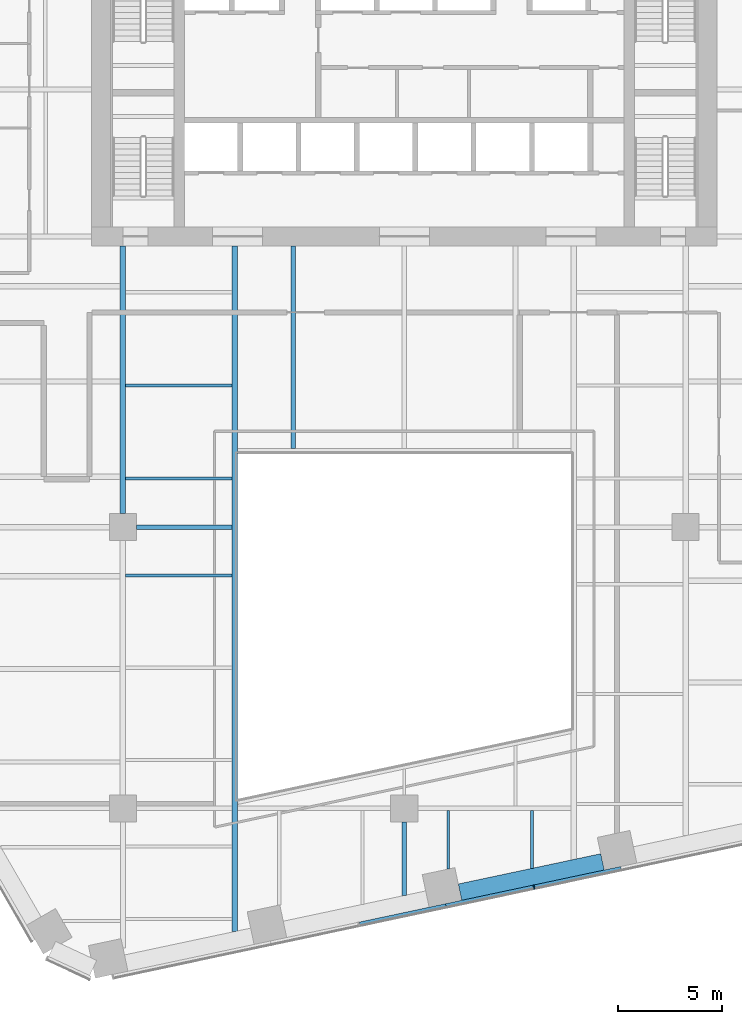
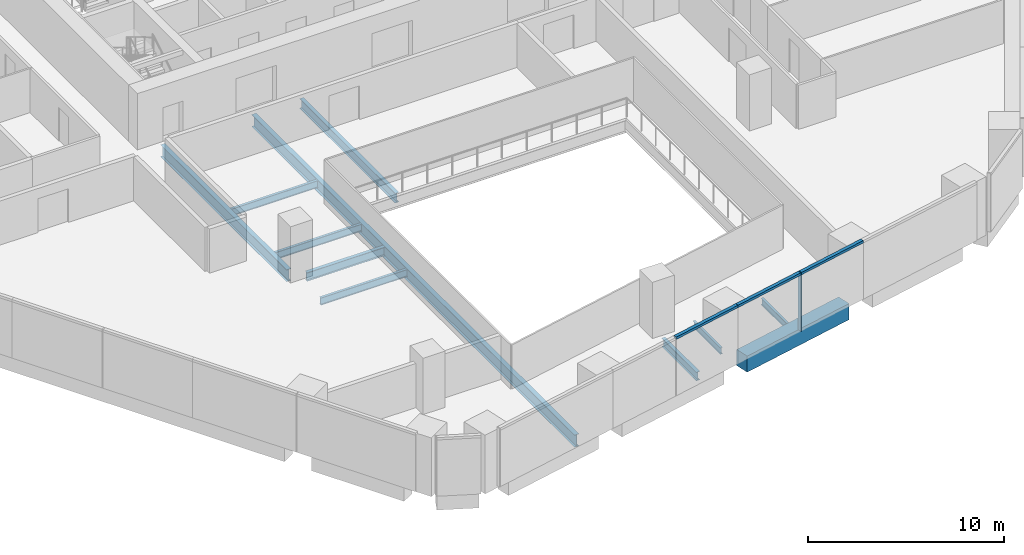
# One storey, part 4 of 21: 11 beams, 4 members, 1 element without a shape of its own.
"""IFC4 building model written with IfcOpenShell, lengths in metres."""

from ifc_helpers import new_model, si_unit, direction, frame, origin, origin_2d, place, context, subcontext, project, spatial, rectangle, i_section, extrude, material, layer, layer_set, material_profile, profile_set, type_object, element, aggregate, save


model = new_model("IFC4")

# Units and contexts
model_context = context("Model", 3, precision=1e-05, world=origin(), true_north=direction((0.0, 1.0)))
body_context = subcontext(model_context, "Body", "Model", "MODEL_VIEW")
ifc_project = project(units=[si_unit("LENGTHUNIT", "METRE"), si_unit("AREAUNIT", "SQUARE_METRE"), si_unit("VOLUMEUNIT", "CUBIC_METRE"), si_unit("PLANEANGLEUNIT", "RADIAN"), si_unit("MASSUNIT", "GRAM", prefix="KILO")], contexts=[model_context])

# Site, building, storey
site_placement = place(None, origin())
site = spatial("IfcSite", under=ifc_project, at=site_placement, CompositionType="ELEMENT")
building_placement = place(site_placement, origin())
building = spatial("IfcBuilding", under=site, at=building_placement, Name="Isthmus Gate Tower", CompositionType="ELEMENT")
storey_placement = place(building_placement, frame((0.0, 0.0, 102.550048828125)))
storey = spatial("IfcBuildingStorey", under=building, at=storey_placement, Name="L24", CompositionType="ELEMENT", Elevation=102.550048828125)

# Curtain wall, members
ifc_material_1 = material(Name="Aluminium, pale champagne anodised", Category="aluminium")
ifc_layer = layer(ifc_material_1, 0.199951171875)
ifc_layer_set = layer_set([ifc_layer], Name="CW-1 UNITISED CURTAIN WALL 200 DEEP")
curtain_wall_type = type_object("IfcCurtainWallType", Name="CW-1 UNITISED CURTAIN WALL 200 DEEP", PredefinedType="NOTDEFINED", material=ifc_layer_set)
curtain_wall_placement = place(storey_placement, origin())
curtain_wall = element("IfcCurtainWall", 1, at=curtain_wall_placement, inside=storey, type_object=curtain_wall_type, Name="CW-1 S L24", PredefinedType="NOTDEFINED")
ifc_material_2 = material(Name="Aluminium, pale champagne anodised", Category="aluminium")
ifc_material_profile_1 = material_profile(ifc_material_2, rectangle(XDim=0.06005859375, YDim=0.199951171875, at=origin_2d()), Name="60x200")
ifc_profile_set_1 = profile_set([ifc_material_profile_1], Name="Aluminium, pale champagne anodised")
member_type_1 = type_object("IfcMemberType", Name="CW-1 MULLION 60 X 200", PredefinedType="MULLION", material=ifc_profile_set_1)
member_1_placement = place(storey_placement, frame((6.228759765625, -30.7783203125, 0.0), z_axis=(0.0, 0.0, 1.0), x_axis=(0.978147600734, 0.207911690818, 0.0)))
member_1 = element("IfcMember", 2, at=member_1_placement, type_object=member_type_1, Name="CW-1 mullion", PredefinedType="MULLION", context=body_context, shape_type="SweptSolid", body=[
    extrude(rectangle(XDim=0.06005859375, YDim=0.199951171875, at=origin_2d()), origin(), (0.0, 0.0, 1.0), 3.64990234375),
])
ifc_material_3 = material(Name="Aluminium, pale champagne anodised", Category="aluminium")
ifc_material_profile_2 = material_profile(ifc_material_3, rectangle(XDim=0.199951171875, YDim=0.14990234375, at=origin_2d()), Name="200x150")
ifc_profile_set_2 = profile_set([ifc_material_profile_2], Name="Aluminium, pale champagne anodised")
member_type_2 = type_object("IfcMemberType", Name="CW-1 TRANSOM 200 X 150", PredefinedType="USERDEFINED", material=ifc_profile_set_2)
member_2_placement = place(storey_placement, frame((-2.1435546875, -32.557861328125, 3.574951171875), z_axis=(0.978150351608, 0.20789874855, 0.0), x_axis=(-0.20789874855, 0.978150351608, 0.0)))
member_2 = element("IfcMember", 3, at=member_2_placement, type_object=member_type_2, Name="CW-1 transom", ObjectType="TRANSOM", PredefinedType="USERDEFINED", context=body_context, shape_type="SweptSolid", body=[
    extrude(rectangle(XDim=0.199951171875, YDim=0.14990234375, at=origin_2d()), origin(), (0.0, 0.0, 1.0), 4.234619140625),
])
member_3_placement = place(storey_placement, frame((1.99853515625, -31.677490234375, 3.574951171875), z_axis=(0.97813890815, 0.207952582007, 0.0), x_axis=(-0.207952582007, 0.97813890815, 0.0)))
member_3 = element("IfcMember", 4, at=member_3_placement, type_object=member_type_2, Name="CW-1 transom", ObjectType="TRANSOM", PredefinedType="USERDEFINED", context=body_context, shape_type="SweptSolid", body=[
    extrude(rectangle(XDim=0.199951171875, YDim=0.14990234375, at=origin_2d()), origin(), (0.0, 0.0, 1.0), 4.294677734375),
])
member_4_placement = place(storey_placement, frame((6.258056640625, -30.77197265625, 3.574951171875), z_axis=(0.978150351608, 0.20789874855, 0.0), x_axis=(-0.20789874855, 0.978150351608, 0.0)))
member_4 = element("IfcMember", 5, at=member_4_placement, type_object=member_type_2, Name="CW-1 transom", ObjectType="TRANSOM", PredefinedType="USERDEFINED", context=body_context, shape_type="SweptSolid", body=[
    extrude(rectangle(XDim=0.199951171875, YDim=0.14990234375, at=origin_2d()), origin(), (0.0, 0.0, 1.0), 4.234619140625),
])
aggregate(curtain_wall, [member_2, member_3, member_1, member_4])

# Beams
ifc_material_4 = material(Name="Concrete f'c 70 MPa", Category="concrete")
ifc_material_profile_3 = material_profile(ifc_material_4, rectangle(XDim=0.800048828125, YDim=1.0, at=origin_2d()), Name="RC 800X1000")
ifc_profile_set_3 = profile_set([ifc_material_profile_3], Name="Concrete f'c 70 MPa")
beam_type_1 = type_object("IfcBeamType", Name="RC SPANDREL 800 X 1000", PredefinedType="SPANDREL", material=ifc_profile_set_3)
beam_1_placement = place(storey_placement, frame((9.513671875, -29.56884765625, -0.5), z_axis=(-0.978149173437, -0.207904291694, 0.0), x_axis=(0.207904291694, -0.978149173437, 0.0)))
element("IfcBeam", 6, at=beam_1_placement, inside=storey, type_object=beam_type_1, Name="str-spandrel-L24-11", PredefinedType="SPANDREL", context=body_context, shape_type="SweptSolid", body=[
    extrude(rectangle(XDim=0.800048828125, YDim=1.0, at=origin_2d()), origin(), (0.0, 0.0, 1.0), 6.989501953125),
])
ifc_material_5 = material(Name="Structural steel ASTM A992 Gr 50", Category="steel")
ifc_material_profile_4 = material_profile(ifc_material_5, i_section(OverallWidth=0.1396484375, OverallDepth=0.4033203125, WebThickness=0.00634765625, FlangeThickness=0.010986328125, at=origin_2d()), Name="W16X31")
ifc_profile_set_4 = profile_set([ifc_material_profile_4], Name="Structural steel ASTM A992 Gr 50")
beam_type_2 = type_object("IfcBeamType", Name="STEEL FLOOR BEAM W16X31", PredefinedType="JOIST", material=ifc_profile_set_4)
beam_2_placement = place(storey_placement, frame((2.111572265625, -29.91552734375, -0.3515625), z_axis=(0.0, 1.0, 0.0), x_axis=(-1.0, 0.0, 0.0)))
element("IfcBeam", 7, at=beam_2_placement, inside=storey, type_object=beam_type_2, Name="str-beam-L24-19-00", PredefinedType="JOIST", context=body_context, shape_type="SweptSolid", body=[
    extrude(i_section(OverallWidth=0.1396484375, OverallDepth=0.4033203125, WebThickness=0.00634765625, FlangeThickness=0.010986328125, at=origin_2d()), origin(), (0.0, 0.0, 1.0), 2.80126953125),
])
beam_3_placement = place(storey_placement, frame((6.125, -29.880126953125, -0.3515625), z_axis=(0.0, 1.0, 0.0), x_axis=(-1.0, 0.0, 0.0)))
element("IfcBeam", 8, at=beam_3_placement, inside=storey, type_object=beam_type_2, Name="str-beam-L24-19-01", PredefinedType="JOIST", context=body_context, shape_type="SweptSolid", body=[
    extrude(i_section(OverallWidth=0.1396484375, OverallDepth=0.4033203125, WebThickness=0.00634765625, FlangeThickness=0.010986328125, at=origin_2d()), origin(), (0.0, 0.0, 1.0), 2.765869140625),
])
ifc_material_6 = material(Name="Structural steel ASTM A992 Gr 50", Category="steel")
ifc_material_profile_5 = material_profile(ifc_material_6, i_section(OverallWidth=0.15234375, OverallDepth=0.45068359375, WebThickness=0.0078125, FlangeThickness=0.010986328125, at=origin_2d()), Name="W18X35")
ifc_profile_set_5 = profile_set([ifc_material_profile_5], Name="Structural steel ASTM A992 Gr 50")
beam_type_3 = type_object("IfcBeamType", Name="STEEL FLOOR BEAM W18X35", PredefinedType="JOIST", material=ifc_profile_set_5)
for number, where, z_axis, x_axis, name in (
    (9, (-13.3681640625, -11.16259765625, -0.37548828125), (1.0, 0.0, 0.0), (0.0, 1.0, 0.0), "str-beam-L24-12-00"),
    (10, (-13.3681640625, -6.697509765625, -0.37548828125), (1.0, 0.0, 0.0), (0.0, 1.0, 0.0), "str-beam-L24-12-01"),
    (11, (-13.3681640625, -15.81982421875, -0.37548828125), (1.0, 0.0, 0.0), (0.0, 1.0, 0.0), "str-beam-L24-13-02"),
):
    element("IfcBeam", number, at=place(storey_placement, frame(where, z_axis=z_axis, x_axis=x_axis)), inside=storey, type_object=beam_type_3, Name=name, PredefinedType="JOIST", context=body_context, shape_type="SweptSolid", body=[
        extrude(i_section(OverallWidth=0.15234375, OverallDepth=0.45068359375, WebThickness=0.0078125, FlangeThickness=0.010986328125, at=origin_2d()), origin(), (0.0, 0.0, 1.0), 5.1015625),
    ])
ifc_material_7 = material(Name="Structural steel ASTM A992 Gr 50", Category="steel")
ifc_material_profile_6 = material_profile(ifc_material_7, i_section(OverallWidth=0.228515625, OverallDepth=0.603271484375, WebThickness=0.010986328125, FlangeThickness=0.014404296875, at=origin_2d()), Name="W24X68")
ifc_profile_set_6 = profile_set([ifc_material_profile_6], Name="Structural steel ASTM A992 Gr 50")
beam_type_4 = type_object("IfcBeamType", Name="STEEL FLOOR BEAM W24X68", PredefinedType="JOIST", material=ifc_profile_set_6)
beam_4_placement = place(storey_placement, frame((-5.333251953125, -9.7333984375, -0.45166015625), z_axis=(0.0, 1.0, 0.0), x_axis=(-1.0, 0.0, 0.0)))
element("IfcBeam", 12, at=beam_4_placement, inside=storey, type_object=beam_type_4, Name="str-beam-L24-17-00", PredefinedType="JOIST", context=body_context, shape_type="SweptSolid", body=[
    extrude(i_section(OverallWidth=0.228515625, OverallDepth=0.603271484375, WebThickness=0.010986328125, FlangeThickness=0.014404296875, at=origin_2d()), origin(), (0.0, 0.0, 1.0), 9.7333984375),
])
ifc_material_8 = material(Name="Structural steel ASTM A992 Gr 50", Category="steel")
ifc_material_profile_7 = material_profile(ifc_material_8, i_section(OverallWidth=0.20947265625, OverallDepth=0.533447265625, WebThickness=0.009521484375, FlangeThickness=0.015869140625, at=origin_2d()), Name="W21X62")
ifc_profile_set_7 = profile_set([ifc_material_profile_7], Name="Structural steel ASTM A992 Gr 50")
beam_type_5 = type_object("IfcBeamType", Name="STEEL GIRDER W21X62", PredefinedType="BEAM", material=ifc_profile_set_7)
beam_5_placement = place(storey_placement, frame((-12.85009765625, -13.5, -0.416748046875), z_axis=(1.0, 0.0, 0.0), x_axis=(0.0, 1.0, 0.0)))
element("IfcBeam", 13, at=beam_5_placement, inside=storey, type_object=beam_type_5, Name="str-girder-L24-06", PredefinedType="BEAM", context=body_context, shape_type="SweptSolid", body=[
    extrude(i_section(OverallWidth=0.20947265625, OverallDepth=0.533447265625, WebThickness=0.009521484375, FlangeThickness=0.015869140625, at=origin_2d()), origin(), (0.0, 0.0, 1.0), 4.58349609375),
])
beam_6_placement = place(storey_placement, frame((0.0, -31.18212890625, -0.416748046875), z_axis=(0.0, 1.0, 0.0), x_axis=(-1.0, 0.0, 0.0)))
element("IfcBeam", 14, at=beam_6_placement, inside=storey, type_object=beam_type_5, Name="str-girder-L24-29", PredefinedType="BEAM", context=body_context, shape_type="SweptSolid", body=[
    extrude(i_section(OverallWidth=0.20947265625, OverallDepth=0.533447265625, WebThickness=0.009521484375, FlangeThickness=0.015869140625, at=origin_2d()), origin(), (0.0, 0.0, 1.0), 3.5322265625),
])
ifc_material_9 = material(Name="Structural steel ASTM A992 Gr 50", Category="steel")
ifc_material_profile_8 = material_profile(ifc_material_9, i_section(OverallWidth=0.263427734375, OverallDepth=0.749267578125, WebThickness=0.0126953125, FlangeThickness=0.015869140625, at=origin_2d()), Name="W30X90")
ifc_profile_set_8 = profile_set([ifc_material_profile_8], Name="Structural steel ASTM A992 Gr 50")
beam_type_6 = type_object("IfcBeamType", Name="STEEL GIRDER W30X90", PredefinedType="BEAM", material=ifc_profile_set_8)
beam_7_placement = place(storey_placement, frame((-13.5, -12.85009765625, -0.524658203125), z_axis=(0.0, 1.0, 0.0), x_axis=(-1.0, 0.0, 0.0)))
element("IfcBeam", 15, at=beam_7_placement, inside=storey, type_object=beam_type_6, Name="str-girder-L24-26", PredefinedType="BEAM", context=body_context, shape_type="SweptSolid", body=[
    extrude(i_section(OverallWidth=0.263427734375, OverallDepth=0.749267578125, WebThickness=0.0126953125, FlangeThickness=0.015869140625, at=origin_2d()), origin(), (0.0, 0.0, 1.0), 12.85009765625),
])
ifc_material_10 = material(Name="Structural steel ASTM A992 Gr 50", Category="steel")
ifc_material_profile_9 = material_profile(ifc_material_10, i_section(OverallWidth=0.2666015625, OverallDepth=0.7587890625, WebThickness=0.014404296875, FlangeThickness=0.01904296875, at=origin_2d()), Name="W30X108")
ifc_profile_set_9 = profile_set([ifc_material_profile_9], Name="Structural steel ASTM A992 Gr 50")
beam_type_7 = type_object("IfcBeamType", Name="STEEL TRIMMER W30X108", PredefinedType="BEAM", material=ifc_profile_set_9)
beam_8_placement = place(storey_placement, frame((-8.13330078125, 0.0, -0.529541015625), z_axis=(0.0, -1.0, 0.0), x_axis=(1.0, 0.0, 0.0)))
element("IfcBeam", 16, at=beam_8_placement, inside=storey, type_object=beam_type_7, Name="str-trimmer-L24-02", PredefinedType="BEAM", context=body_context, shape_type="SweptSolid", body=[
    extrude(i_section(OverallWidth=0.2666015625, OverallDepth=0.7587890625, WebThickness=0.014404296875, FlangeThickness=0.01904296875, at=origin_2d()), origin(), (0.0, 0.0, 1.0), 32.910888671875),
])

save(model, "model.ifc")
